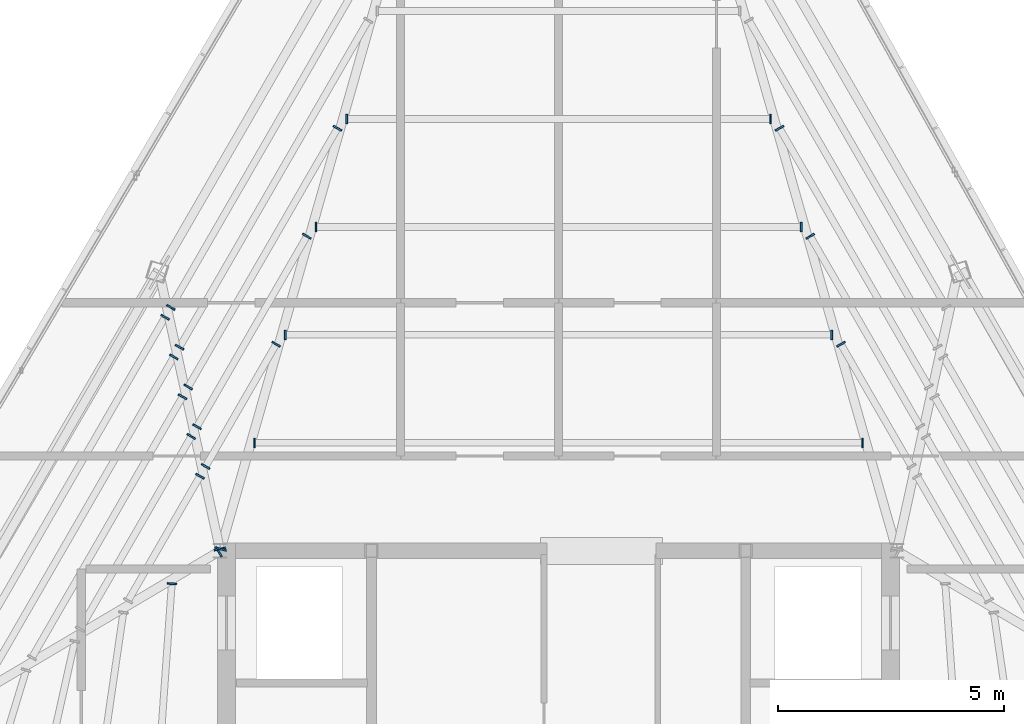
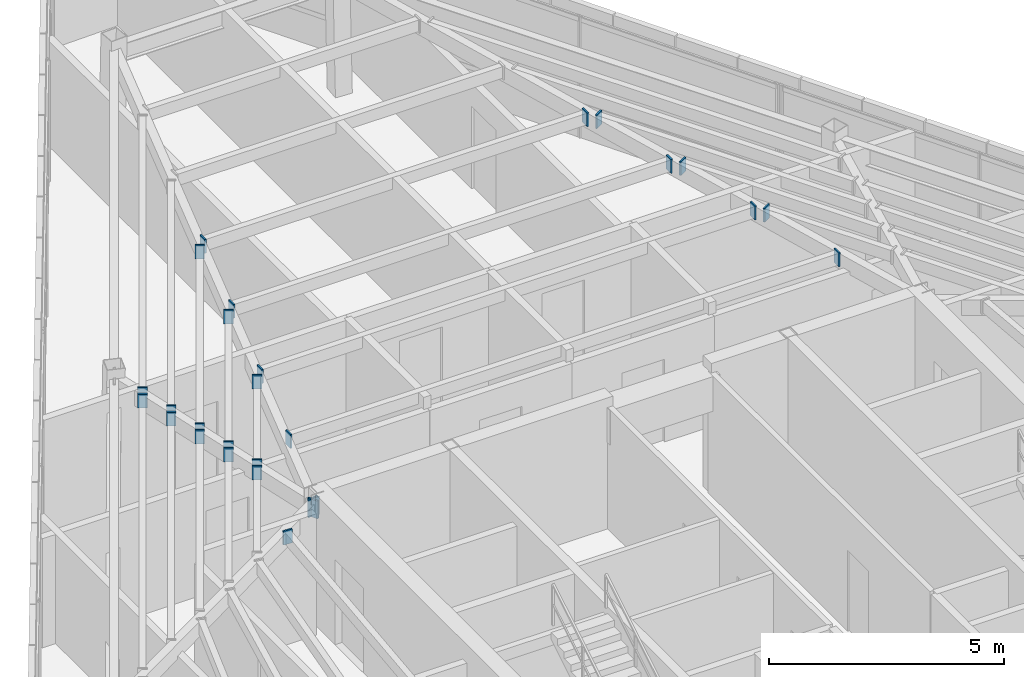
# One storey, part 40 of 48: 28 plates.
"""IFC4 building model written with IfcOpenShell, lengths in metres."""

from ifc_helpers import new_model, si_unit, direction, frame, origin, origin_2d, place, context, subcontext, project, spatial, rectangle, extrude, source, transform, mapped, material, layer, layer_set, type_object, type_shapes, element, save


model = new_model("IFC4")

# Units and contexts
model_context = context("Model", 3, precision=1e-05, world=origin(), true_north=direction((0.0, 1.0)))
body_context = subcontext(model_context, "Body", "Model", "MODEL_VIEW")
ifc_project = project(units=[si_unit("LENGTHUNIT", "METRE"), si_unit("AREAUNIT", "SQUARE_METRE"), si_unit("VOLUMEUNIT", "CUBIC_METRE"), si_unit("PLANEANGLEUNIT", "RADIAN"), si_unit("MASSUNIT", "GRAM", prefix="KILO")], contexts=[model_context])

# Site, building, storey
site_placement = place(None, origin())
site = spatial("IfcSite", under=ifc_project, at=site_placement, CompositionType="ELEMENT")
building_placement = place(site_placement, origin())
building = spatial("IfcBuilding", under=site, at=building_placement, Name="Caelisora Broadcast Tower", CompositionType="ELEMENT")
storey_placement = place(building_placement, frame((0.0, 0.0, 300.0)))
storey = spatial("IfcBuildingStorey", under=building, at=storey_placement, Name="L79", CompositionType="ELEMENT", Elevation=300.0)

# Plates
ifc_material = material(Name="Steel Grade 350 L15 (AS/NZS 3678)", Category="steel")
ifc_layer = layer(ifc_material, 0.0400390625, Name="Steel Grade 350 L15 (AS/NZS 3678)")
ifc_layer_set = layer_set([ifc_layer], Name="Steel Grade 350 L15 (AS/NZS 3678)")
plate_type = type_object("IfcPlateType", Name="GP04", PredefinedType="USERDEFINED", material=ifc_layer_set)
shared_shape_1 = source(origin(), body_context, "Body", "SweptSolid", [
    extrude(rectangle(XDim=0.260009765625, YDim=0.0400390625, at=origin_2d()), origin(), (0.0, 0.0, 1.0), 0.4599609375),
])
for number, where, z_axis, x_axis, name in (
    (1, (30.510986328125, 30.03857421875, 2.719970703125), (0.0, 0.0, 1.0), (-0.961932334778, 0.273287729889, 0.0), "L79 gusset plate GP04 (ND-RAD-L79-02)"),
    (2, (30.491455078125, 30.0390625, 2.719970703125), (0.0, 0.0, 1.0), (-0.976821953852, -0.214053429014, 0.0), "L79 gusset plate GP04 (ND-RAD-L79-03)"),
    (3, (30.465576171875, 29.9794921875, 2.719970703125), (0.0, 0.0, 1.0), (0.509341840379, -0.860564285593, 0.0), "L79 gusset plate GP04 (ND-RAD-L79-04)"),
):
    element("IfcPlate", number, at=place(storey_placement, frame(where, z_axis=z_axis, x_axis=x_axis)), inside=storey, type_object=plate_type, Name=name, ObjectType="GUSSET PLATE", PredefinedType="USERDEFINED", context=body_context, shape_type="MappedRepresentation", body=[
        mapped(shared_shape_1, transform((0.0, 0.0, 0.0), scale=1.0)),
    ])
shared_shape_2 = source(origin(), body_context, "Body", "SweptSolid", [
    extrude(rectangle(XDim=0.2099609375, YDim=0.0400390625, at=origin_2d()), origin(), (0.0, 0.0, 1.0), 0.360107421875),
])
type_shapes(plate_type, [shared_shape_1, shared_shape_2])
for number, where, z_axis, x_axis, name in (
    (4, (44.73876953125, 32.393798828125, 2.81982421875), (0.0, 0.0, 1.0), (0.0, -1.0, 0.0), "L79 gusset plate GP04 (ND-SB-L79-001A)"),
    (5, (31.26123046875, 32.393798828125, 2.81982421875), (0.0, 0.0, 1.0), (0.0, -1.0, 0.0), "L79 gusset plate GP04 (ND-SB-L79-001B)"),
    (6, (44.05859375, 34.78759765625, 2.81982421875), (0.0, 0.0, 1.0), (0.0, -1.0, 0.0), "L79 gusset plate GP04 (ND-SB-L79-002A)"),
    (7, (31.94140625, 34.78759765625, 2.81982421875), (0.0, 0.0, 1.0), (0.0, -1.0, 0.0), "L79 gusset plate GP04 (ND-SB-L79-002B)"),
    (8, (43.37841796875, 37.18115234375, 2.81982421875), (0.0, 0.0, 1.0), (0.0, -1.0, 0.0), "L79 gusset plate GP04 (ND-SB-L79-003A)"),
    (9, (32.62158203125, 37.181396484375, 2.81982421875), (0.0, 0.0, 1.0), (0.0, -1.0, 0.0), "L79 gusset plate GP04 (ND-SB-L79-003B)"),
    (10, (42.6982421875, 39.574951171875, 2.81982421875), (0.0, 0.0, 1.0), (0.0, -1.0, 0.0), "L79 gusset plate GP04 (ND-SB-L79-004A)"),
    (11, (33.3017578125, 39.574951171875, 2.81982421875), (0.0, 0.0, 1.0), (0.0, -1.0, 0.0), "L79 gusset plate GP04 (ND-SB-L79-004B)"),
    (12, (31.740234375, 34.57958984375, 2.81982421875), (0.0, 0.0, 1.0), (0.866025403784, -0.5, 0.0), "L79 gusset plate GP04 (ND-SB-L79-007A)"),
    (13, (30.176513671875, 31.87109375, 2.81982421875), (0.0, 0.0, 1.0), (0.866025403784, -0.5, 0.0), "L79 gusset plate GP04 (ND-SB-L79-007B)"),
    (14, (32.42041015625, 36.973388671875, 2.81982421875), (0.0, 0.0, 1.0), (0.866025403784, -0.5, 0.0), "L79 gusset plate GP04 (ND-SB-L79-008A)"),
    (15, (29.9833984375, 32.75244140625, 2.81982421875), (0.0, 0.0, 1.0), (0.866025403784, -0.5, 0.0), "L79 gusset plate GP04 (ND-SB-L79-008B)"),
    (16, (33.1005859375, 39.366943359375, 2.81982421875), (0.0, 0.0, 1.0), (0.866025403784, -0.5, 0.0), "L79 gusset plate GP04 (ND-SB-L79-009A)"),
    (17, (29.790283203125, 33.633544921875, 2.81982421875), (0.0, 0.0, 1.0), (0.866025403784, -0.5, 0.0), "L79 gusset plate GP04 (ND-SB-L79-009B)"),
    (18, (29.597412109375, 34.514892578125, 2.81982421875), (0.0, 0.0, 1.0), (0.866025403784, -0.5, 0.0), "L79 gusset plate GP04 (ND-SB-L79-010B)"),
    (19, (29.404296875, 35.39599609375, 2.81982421875), (0.0, 0.0, 1.0), (0.866025403784, -0.5, 0.0), "L79 gusset plate GP04 (ND-SB-L79-011B)"),
    (20, (30.05126953125, 31.65380859375, 2.81982421875), (0.0, 0.0, 1.0), (0.866025403784, -0.5, 0.0), "L79 gusset plate GP04 (ND-SB-L79-012A)"),
    (21, (29.858154296875, 32.53515625, 2.81982421875), (0.0, 0.0, 1.0), (0.866025403784, -0.5, 0.0), "L79 gusset plate GP04 (ND-SB-L79-013A)"),
    (22, (29.6650390625, 33.41650390625, 2.81982421875), (0.0, 0.0, 1.0), (0.866025403784, -0.5, 0.0), "L79 gusset plate GP04 (ND-SB-L79-014A)"),
    (23, (29.471923828125, 34.297607421875, 2.81982421875), (0.0, 0.0, 1.0), (0.866025403784, -0.5, 0.0), "L79 gusset plate GP04 (ND-SB-L79-015A)"),
    (24, (29.27880859375, 35.178955078125, 2.81982421875), (0.0, 0.0, 1.0), (0.866025403784, -0.5, 0.0), "L79 gusset plate GP04 (ND-SB-L79-016A)"),
    (25, (29.4267578125, 29.2705078125, 2.81982421875), (0.0, 0.0, 1.0), (0.997490454489, -0.070801081936, 0.0), "L79 gusset plate GP04 (ND-SB-L79-017A)"),
    (26, (44.259765625, 34.57958984375, 2.81982421875), (0.0, 0.0, 1.0), (-0.866025403784, -0.5, 0.0), "L79 gusset plate GP04 (ND-SB-L79-054B)"),
    (27, (43.57958984375, 36.97314453125, 2.81982421875), (0.0, 0.0, 1.0), (-0.866025403784, -0.5, 0.0), "L79 gusset plate GP04 (ND-SB-L79-055B)"),
    (28, (42.8994140625, 39.366943359375, 2.81982421875), (0.0, 0.0, 1.0), (-0.866025403784, -0.5, 0.0), "L79 gusset plate GP04 (ND-SB-L79-056B)"),
):
    element("IfcPlate", number, at=place(storey_placement, frame(where, z_axis=z_axis, x_axis=x_axis)), inside=storey, type_object=plate_type, Name=name, ObjectType="GUSSET PLATE", PredefinedType="USERDEFINED", context=body_context, shape_type="MappedRepresentation", body=[
        mapped(shared_shape_2, transform((0.0, 0.0, 0.0), scale=1.0)),
    ])

save(model, "model.ifc")
